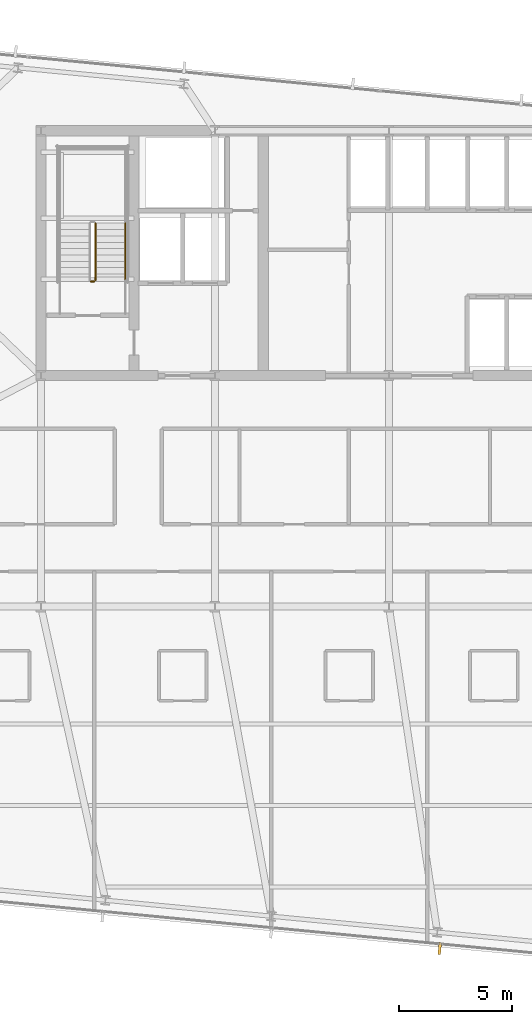
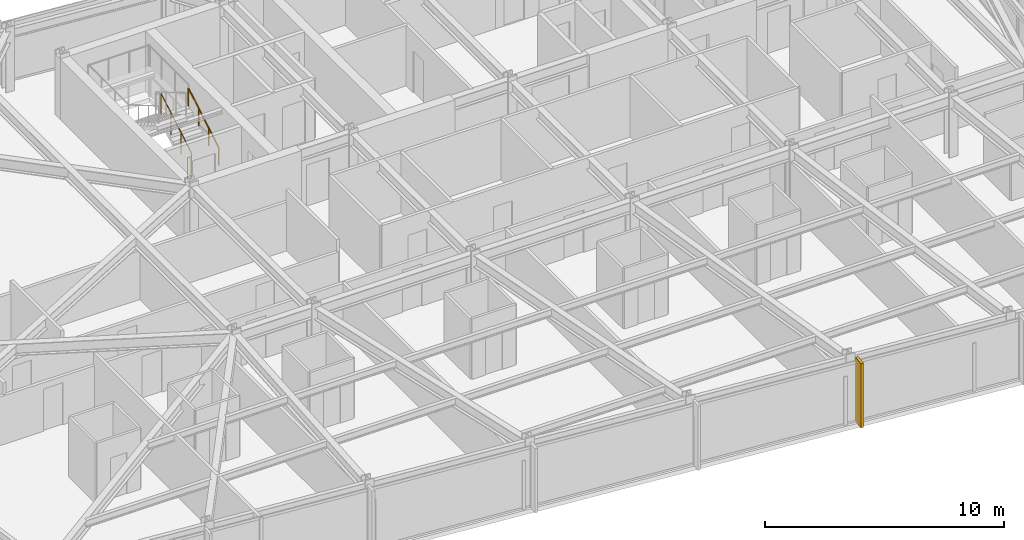
# One storey, part 34 of 37: 3 railings, 1 shading device.
"""IFC4 building model written with IfcOpenShell, lengths in metres."""

from ifc_helpers import new_model, si_unit, direction, frame, origin, origin_2d, place, context, subcontext, project, spatial, rectangle, circle, extrude, material, layer, layer_set, type_object, element, save


model = new_model("IFC4")

# Units and contexts
model_context = context("Model", 3, precision=1e-05, world=origin(), true_north=direction((0.0, 1.0)))
body_context = subcontext(model_context, "Body", "Model", "MODEL_VIEW")
ifc_project = project(units=[si_unit("LENGTHUNIT", "METRE"), si_unit("AREAUNIT", "SQUARE_METRE"), si_unit("VOLUMEUNIT", "CUBIC_METRE"), si_unit("PLANEANGLEUNIT", "RADIAN"), si_unit("MASSUNIT", "GRAM", prefix="KILO")], contexts=[model_context])

# Site, building, storey
site_placement = place(None, origin())
site = spatial("IfcSite", under=ifc_project, at=site_placement, CompositionType="ELEMENT")
building_placement = place(site_placement, origin())
building = spatial("IfcBuilding", under=site, at=building_placement, Name="Yelkora Congress Tower", CompositionType="ELEMENT")
storey_placement = place(building_placement, frame((0.0, 0.0, 175.39990234375)))
storey = spatial("IfcBuildingStorey", under=building, at=storey_placement, Name="L48", CompositionType="ELEMENT", Elevation=175.39990234375)

# Railings
ifc_material_1 = material(Name="Painted galvanised steel stair well guard with vertical infill", Category="steel")
ifc_layer_1 = layer(ifc_material_1, 0.06005859375)
ifc_layer_set_1 = layer_set([ifc_layer_1], Name="Painted galvanised steel stair well guard with vertical infill")
railing_type_1 = type_object("IfcRailingType", Name="RAIL-STAIR-GUARD-1120", PredefinedType="GUARDRAIL", material=ifc_layer_set_1)
railing_1_placement = place(storey_placement, frame((25.449951171875, 39.60009765625, 0.1650390625)))
element("IfcRailing", 1, at=railing_1_placement, inside=storey, type_object=railing_type_1, Name="ST-01 L48 Stair Well Guardrail 1", PredefinedType="GUARDRAIL", context=body_context, shape_type="SweptSolid", body=[
    extrude(circle(Radius=0.02392578125, at=origin_2d()), frame((0.0, 0.0, 1.09619140625), z_axis=(0.0, 0.86152411907, 0.507716645641), x_axis=(-1.0, 0.0, 0.0)), (0.0, 0.0, 1.0), 2.925048828125),
    extrude(circle(Radius=0.02099609375, at=origin_2d()), origin(), (0.0, 0.0, 1.0), 1.072021484375),
    extrude(circle(Radius=0.02099609375, at=origin_2d()), frame((0.0, 0.840087890625, 0.4951171875)), (0.0, 0.0, 1.0), 1.072021484375),
    extrude(circle(Radius=0.02099609375, at=origin_2d()), frame((0.0, 1.679931640625, 0.989990234375)), (0.0, 0.0, 1.0), 1.072021484375),
    extrude(circle(Radius=0.02099609375, at=origin_2d()), frame((0.0, 2.52001953125, 1.485107421875)), (0.0, 0.0, 1.0), 1.072021484375),
])
railing_2_placement = place(storey_placement, frame((25.39990234375, 39.550048828125, 0.0)))
element("IfcRailing", 2, at=railing_2_placement, inside=storey, type_object=railing_type_1, Name="ST-01 L48 Stair Well Guardrail 7", PredefinedType="GUARDRAIL", context=body_context, shape_type="SweptSolid", body=[
    extrude(circle(Radius=0.02392578125, at=origin_2d()), frame((0.0, 0.0, 1.09619140625), z_axis=(-1.0, 0.0, 0.0), x_axis=(0.0, -1.0, 0.0)), (0.0, 0.0, 1.0), 0.159912109375),
    extrude(circle(Radius=0.02099609375, at=origin_2d()), origin(), (0.0, 0.0, 1.0), 1.072021484375),
    extrude(circle(Radius=0.02099609375, at=origin_2d()), frame((-0.159912109375, 0.0, 0.0)), (0.0, 0.0, 1.0), 1.072021484375),
])
ifc_material_2 = material(Name="Brushed stainless steel tubular handrail", Category="steel")
ifc_layer_2 = layer(ifc_material_2, 0.050048828125)
ifc_layer_set_2 = layer_set([ifc_layer_2], Name="Brushed stainless steel tubular handrail")
railing_type_2 = type_object("IfcRailingType", Name="RAIL-STAIR-HAND-920", PredefinedType="HANDRAIL", material=ifc_layer_set_2)
railing_3_placement = place(storey_placement, frame((26.77001953125, 39.60009765625, 0.1650390625)))
element("IfcRailing", 3, at=railing_3_placement, inside=storey, type_object=railing_type_2, Name="ST-01 L48 Pitch Handrail 1", PredefinedType="HANDRAIL", context=body_context, shape_type="SweptSolid", body=[
    extrude(circle(Radius=0.02392578125, at=origin_2d()), frame((0.0, 0.0, 0.89599609375), z_axis=(0.0, 0.86152411907, 0.507716645641), x_axis=(-1.0, 0.0, 0.0)), (0.0, 0.0, 1.0), 2.925048828125),
    extrude(circle(Radius=0.02099609375, at=origin_2d()), origin(), (0.0, 0.0, 1.0), 0.871826171875),
    extrude(circle(Radius=0.02099609375, at=origin_2d()), frame((0.0, 0.840087890625, 0.4951171875)), (0.0, 0.0, 1.0), 0.871826171875),
    extrude(circle(Radius=0.02099609375, at=origin_2d()), frame((0.0, 1.679931640625, 0.989990234375)), (0.0, 0.0, 1.0), 0.871826171875),
    extrude(circle(Radius=0.02099609375, at=origin_2d()), frame((0.0, 2.52001953125, 1.485107421875)), (0.0, 0.0, 1.0), 0.871826171875),
])

# Shading device
ifc_material_3 = material(Name="Champagne anodised aluminium", Category="aluminium")
ifc_layer_3 = layer(ifc_material_3, 3.300048828125)
ifc_layer_set_3 = layer_set([ifc_layer_3], Name="Champagne anodised aluminium")
shading_device_type = type_object("IfcShadingDeviceType", Name="SHD-FIN-ALU-520", PredefinedType="USERDEFINED", material=ifc_layer_set_3)
shading_device_placement = place(storey_placement, frame((40.642333984375, 10.10791015625, -0.02978515625), z_axis=(0.0, 0.0, 1.0), x_axis=(-0.995396198367, 0.09584575252, 0.0)))
element("IfcShadingDevice", 4, at=shading_device_placement, inside=storey, type_object=shading_device_type, Name="L48 Vertical Anodised Solar Fin 20-2", ObjectType="FIN", PredefinedType="USERDEFINED", context=body_context, shape_type="SweptSolid", body=[
    extrude(rectangle(XDim=0.1201171875, YDim=0.52001953125, at=origin_2d()), origin(), (0.0, 0.0, 1.0), 3.280029296875),
])

save(model, "model.ifc")
